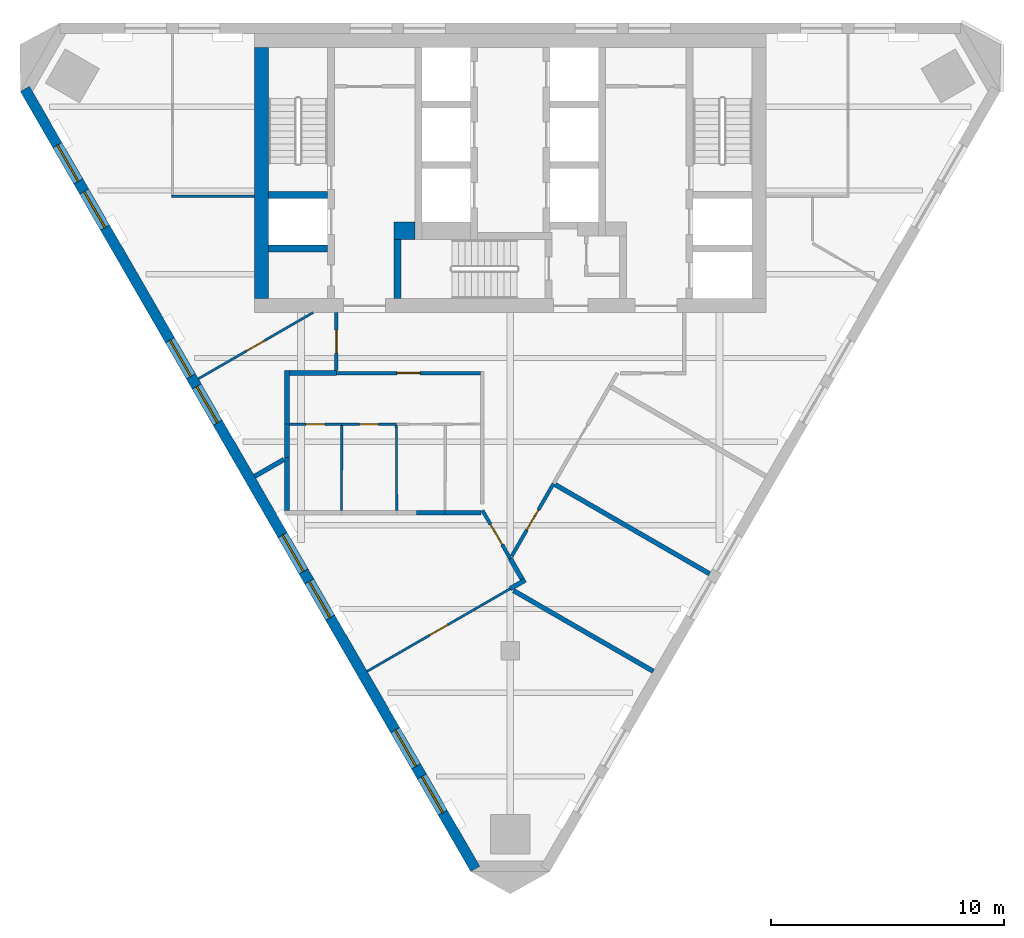
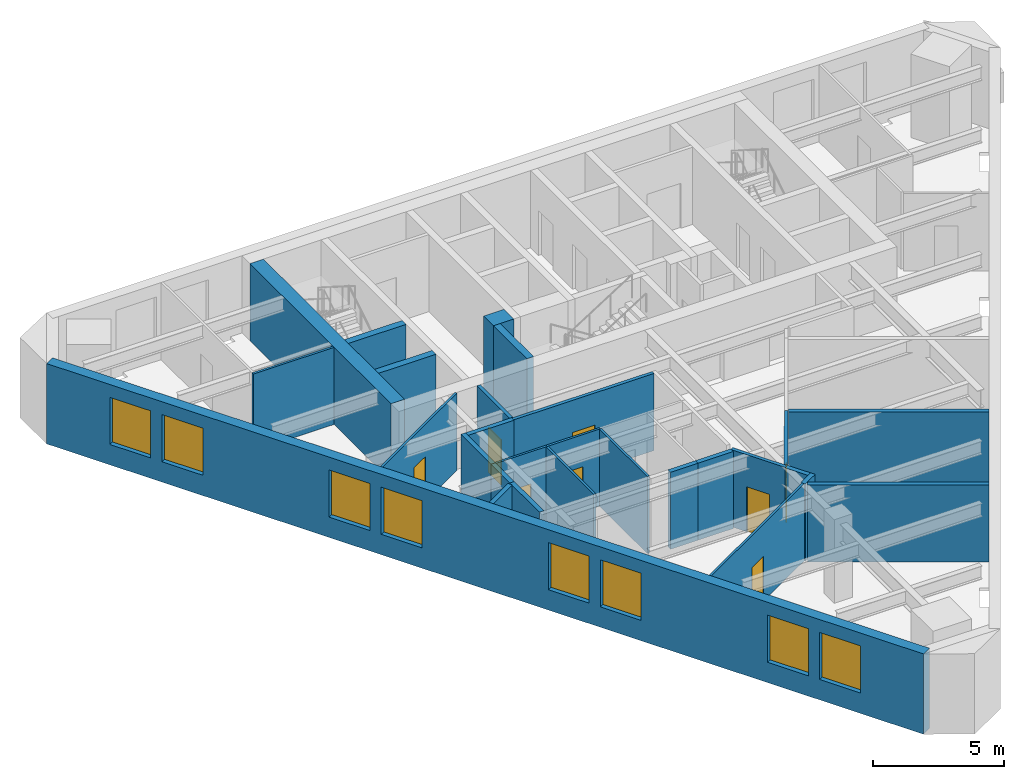
# One storey, part 2 of 6: 28 walls, 8 doors, 8 windows, 16 openings.
"""IFC4 building model written with IfcOpenShell, lengths in metres."""

from ifc_helpers import new_model, si_unit, direction, frame, frame_2d, origin, place, context, subcontext, project, spatial, polyline, rectangle, outline, extrude, material, layer, layer_set, type_object, element, fill, save


model = new_model("IFC4")

# Units and contexts
model_context = context("Model", 3, precision=1e-05, world=origin(), true_north=direction((0.0, 1.0)))
body_context = subcontext(model_context, "Body", "Model", "MODEL_VIEW")
ifc_project = project(units=[si_unit("LENGTHUNIT", "METRE"), si_unit("AREAUNIT", "SQUARE_METRE"), si_unit("VOLUMEUNIT", "CUBIC_METRE"), si_unit("PLANEANGLEUNIT", "RADIAN"), si_unit("MASSUNIT", "GRAM", prefix="KILO")], contexts=[model_context])

# Site, building, storey
site_placement = place(None, origin())
site = spatial("IfcSite", under=ifc_project, at=site_placement, CompositionType="ELEMENT")
building_placement = place(site_placement, origin())
building = spatial("IfcBuilding", under=site, at=building_placement, Name="Aloe Facet Convention Tower", CompositionType="ELEMENT")
storey_placement = place(building_placement, frame((0.0, 0.0, 223.10009765625)))
storey = spatial("IfcBuildingStorey", under=building, at=storey_placement, Name="L56", CompositionType="ELEMENT", Elevation=223.10009765625)

# Walls
ifc_material_1 = material(Name="Concrete C50/60", Category="concrete")
ifc_layer_1 = layer(ifc_material_1, 0.300048828125)
ifc_layer_set_1 = layer_set([ifc_layer_1], Name="CR-W-RC300-C5060")
wall_type_1 = type_object("IfcWallType", Name="CR-W-RC300-C5060", PredefinedType="SOLIDWALL", material=ifc_layer_set_1)
for number, where, z_axis, x_axis, name in (
    (1, (69.60009765625, 127.60009765625, 0.0), (0.0, 0.0, 1.0), (1.0, 0.0, 0.0), "Core wall L56-004"),
    (2, (69.60009765625, 125.300048828125, 0.0), (0.0, 0.0, 1.0), (1.0, 0.0, 0.0), "Core wall L56-005"),
):
    element("IfcWall", number, at=place(storey_placement, frame(where, z_axis=z_axis, x_axis=x_axis)), inside=storey, type_object=wall_type_1, Name=name, PredefinedType="SOLIDWALL", context=body_context, shape_type="SweptSolid", body=[
        extrude(rectangle(XDim=2.5498046875, YDim=0.300048828125, at=frame_2d((1.27490234375, 0.0))), origin(), (0.0, 0.0, 1.0), 3.599853515625),
    ])
wall_1_placement = place(storey_placement, frame((75.14990234375, 125.699951171875, 0.0), z_axis=(0.0, 0.0, 1.0), x_axis=(0.0, -1.0, 0.0)))
element("IfcWall", 3, at=wall_1_placement, inside=storey, type_object=wall_type_1, Name="Core wall L56-009", PredefinedType="SOLIDWALL", context=body_context, shape_type="SweptSolid", body=[
    extrude(rectangle(XDim=2.550048828125, YDim=0.300048828125, at=frame_2d((1.27490234375, 0.0))), origin(), (0.0, 0.0, 1.0), 3.599853515625),
])
ifc_material_2 = material(Name="Concrete C50/60", Category="concrete")
ifc_layer_2 = layer(ifc_material_2, 0.60009765625)
ifc_layer_set_2 = layer_set([ifc_layer_2], Name="CR-W-RC600-C5060")
wall_type_2 = type_object("IfcWallType", Name="CR-W-RC600-C5060", PredefinedType="SOLIDWALL", material=ifc_layer_set_2)
wall_2_placement = place(storey_placement, frame((69.300048828125, 133.949951171875, 0.0), z_axis=(0.0, 0.0, 1.0), x_axis=(0.0, -1.0, 0.0)))
element("IfcWall", 4, at=wall_2_placement, inside=storey, type_object=wall_type_2, Name="Core wall L56-002", PredefinedType="SOLIDWALL", context=body_context, shape_type="SweptSolid", body=[
    extrude(rectangle(XDim=10.800048828125, YDim=0.60009765625, at=frame_2d((5.39990234375, 0.0))), origin(), (0.0, 0.0, 1.0), 3.599853515625),
])
ifc_material_3 = material(Name="Concrete C50/60", Category="concrete")
ifc_layer_3 = layer(ifc_material_3, 0.75)
ifc_layer_set_3 = layer_set([ifc_layer_3], Name="CR-W-RC750-C5060")
wall_type_3 = type_object("IfcWallType", Name="CR-W-RC750-C5060", PredefinedType="SOLIDWALL", material=ifc_layer_set_3)
wall_3_placement = place(storey_placement, frame((75.0, 126.074951171875, 0.0), z_axis=(0.0, 0.0, 1.0), x_axis=(1.0, 0.0, 0.0)))
element("IfcWall", 5, at=wall_3_placement, inside=storey, type_object=wall_type_3, Name="Core wall L56-008", PredefinedType="SOLIDWALL", context=body_context, shape_type="SweptSolid", body=[
    extrude(rectangle(XDim=0.89990234375, YDim=0.75, at=frame_2d((0.449951171875, 0.0))), origin(), (0.0, 0.0, 1.0), 3.599853515625),
])

# Wall, openings, windows
ifc_material_4 = material(Name="Precast concrete C40/50", Category="concrete")
ifc_layer_4 = layer(ifc_material_4, 0.449951171875)
ifc_layer_set_4 = layer_set([ifc_layer_4], Name="EV-WALL-STONE")
wall_type_4 = type_object("IfcWallType", Name="EV-WALL-STONE", PredefinedType="SOLIDWALL", material=ifc_layer_set_4)
wall_4_placement = place(storey_placement, frame((59.130126953125, 132.16796875, -0.150146484375), z_axis=(0.0, 0.0, 1.0), x_axis=(0.500002199942, -0.866024133644, 0.0)))
wall_4 = element("IfcWall", 6, at=wall_4_placement, inside=storey, type_object=wall_type_4, Name="EW-L56-W01", PredefinedType="SOLIDWALL", context=body_context, shape_type="SweptSolid", body=[
    extrude(outline(polyline([(38.729248046875, 0.0), (38.729248046875, 3.75), (0.0, 3.75), (0.0, 0.0), (38.729248046875, 0.0)])), frame((0.0, 0.22509765625, 0.0), z_axis=(0.0, -1.0, 0.0), x_axis=(1.0, 0.0, 0.0)), (0.0, 0.0, 1.0), 0.449951171875),
])
opening_1_placement = place(wall_4_placement, frame((2.791259765625, 0.0, 0.949951171875)))
opening_1 = element("IfcOpeningElement", 7, at=opening_1_placement, cuts=wall_4, Name="Opening W-L56-W01", PredefinedType="OPENING", context=body_context, shape_type="SweptSolid", body=[
    extrude(rectangle(XDim=1.800048828125, YDim=2.199951171875, at=frame_2d((0.89990234375, 1.10009765625))), frame((0.0, 0.23486328125, 0.0), z_axis=(0.0, -1.0, 0.0), x_axis=(1.0, 0.0, 0.0)), (0.0, 0.0, 1.0), 0.469970703125),
])
opening_2_placement = place(wall_4_placement, frame((5.091064453125, 0.0, 0.949951171875)))
opening_2 = element("IfcOpeningElement", 8, at=opening_2_placement, cuts=wall_4, Name="Opening W-L56-W02", PredefinedType="OPENING", context=body_context, shape_type="SweptSolid", body=[
    extrude(rectangle(XDim=1.800048828125, YDim=2.199951171875, at=frame_2d((0.89990234375, 1.10009765625))), frame((0.0, 0.23486328125, 0.0), z_axis=(0.0, -1.0, 0.0), x_axis=(1.0, 0.0, 0.0)), (0.0, 0.0, 1.0), 0.469970703125),
])
opening_3_placement = place(wall_4_placement, frame((12.473388671875, 0.0, 0.949951171875)))
opening_3 = element("IfcOpeningElement", 9, at=opening_3_placement, cuts=wall_4, Name="Opening W-L56-W03", PredefinedType="OPENING", context=body_context, shape_type="SweptSolid", body=[
    extrude(rectangle(XDim=1.800048828125, YDim=2.199951171875, at=frame_2d((0.89990234375, 1.10009765625))), frame((0.0, 0.23486328125, 0.0), z_axis=(0.0, -1.0, 0.0), x_axis=(1.0, 0.0, 0.0)), (0.0, 0.0, 1.0), 0.469970703125),
])
opening_4_placement = place(wall_4_placement, frame((14.7734375, 0.0, 0.949951171875)))
opening_4 = element("IfcOpeningElement", 10, at=opening_4_placement, cuts=wall_4, Name="Opening W-L56-W04", PredefinedType="OPENING", context=body_context, shape_type="SweptSolid", body=[
    extrude(rectangle(XDim=1.800048828125, YDim=2.199951171875, at=frame_2d((0.89990234375, 1.10009765625))), frame((0.0, 0.23486328125, 0.0), z_axis=(0.0, -1.0, 0.0), x_axis=(1.0, 0.0, 0.0)), (0.0, 0.0, 1.0), 0.469970703125),
])
opening_5_placement = place(wall_4_placement, frame((22.15576171875, 0.0, 0.949951171875)))
opening_5 = element("IfcOpeningElement", 11, at=opening_5_placement, cuts=wall_4, Name="Opening W-L56-W05", PredefinedType="OPENING", context=body_context, shape_type="SweptSolid", body=[
    extrude(rectangle(XDim=1.800048828125, YDim=2.199951171875, at=frame_2d((0.89990234375, 1.10009765625))), frame((0.0, 0.23486328125, 0.0), z_axis=(0.0, -1.0, 0.0), x_axis=(1.0, 0.0, 0.0)), (0.0, 0.0, 1.0), 0.469970703125),
])
opening_6_placement = place(wall_4_placement, frame((24.455810546875, 0.0, 0.949951171875)))
opening_6 = element("IfcOpeningElement", 12, at=opening_6_placement, cuts=wall_4, Name="Opening W-L56-W06", PredefinedType="OPENING", context=body_context, shape_type="SweptSolid", body=[
    extrude(rectangle(XDim=1.800048828125, YDim=2.199951171875, at=frame_2d((0.89990234375, 1.10009765625))), frame((0.0, 0.23486328125, 0.0), z_axis=(0.0, -1.0, 0.0), x_axis=(1.0, 0.0, 0.0)), (0.0, 0.0, 1.0), 0.469970703125),
])
opening_7_placement = place(wall_4_placement, frame((31.838134765625, 0.0, 0.949951171875)))
opening_7 = element("IfcOpeningElement", 13, at=opening_7_placement, cuts=wall_4, Name="Opening W-L56-W07", PredefinedType="OPENING", context=body_context, shape_type="SweptSolid", body=[
    extrude(rectangle(XDim=1.800048828125, YDim=2.199951171875, at=frame_2d((0.89990234375, 1.10009765625))), frame((0.0, 0.23486328125, 0.0), z_axis=(0.0, -1.0, 0.0), x_axis=(1.0, 0.0, 0.0)), (0.0, 0.0, 1.0), 0.469970703125),
])
opening_8_placement = place(wall_4_placement, frame((34.13818359375, 0.0, 0.949951171875)))
opening_8 = element("IfcOpeningElement", 14, at=opening_8_placement, cuts=wall_4, Name="Opening W-L56-W08", PredefinedType="OPENING", context=body_context, shape_type="SweptSolid", body=[
    extrude(rectangle(XDim=1.800048828125, YDim=2.199951171875, at=frame_2d((0.89990234375, 1.10009765625))), frame((0.0, 0.23486328125, 0.0), z_axis=(0.0, -1.0, 0.0), x_axis=(1.0, 0.0, 0.0)), (0.0, 0.0, 1.0), 0.469970703125),
])
ifc_material_5 = material(Name="Aluminium frame, clear double glazing", Category="aluminium")
window_type = type_object("IfcWindowType", Name="EV-WIN-O18", PartitioningType="SINGLE_PANEL", PredefinedType="WINDOW", material=ifc_material_5)
window_1_placement = place(opening_1_placement, origin())
window_1 = element("IfcWindow", 15, at=window_1_placement, inside=storey, type_object=window_type, Name="W-L56-W01", OverallHeight=2.199951171875, OverallWidth=1.800048828125, PartitioningType="SINGLE_PANEL", PredefinedType="WINDOW", context=body_context, shape_type="SweptSolid", body=[
    extrude(rectangle(XDim=1.800048828125, YDim=2.199951171875, at=frame_2d((0.89990234375, 1.10009765625))), frame((0.0, 0.030029296875, 0.0), z_axis=(0.0, -1.0, 0.0), x_axis=(1.0, 0.0, 0.0)), (0.0, 0.0, 1.0), 0.06005859375),
])
fill(opening_1, window_1)
window_2_placement = place(opening_2_placement, origin())
window_2 = element("IfcWindow", 16, at=window_2_placement, inside=storey, type_object=window_type, Name="W-L56-W02", OverallHeight=2.199951171875, OverallWidth=1.800048828125, PartitioningType="SINGLE_PANEL", PredefinedType="WINDOW", context=body_context, shape_type="SweptSolid", body=[
    extrude(rectangle(XDim=1.800048828125, YDim=2.199951171875, at=frame_2d((0.89990234375, 1.10009765625))), frame((0.0, 0.030029296875, 0.0), z_axis=(0.0, -1.0, 0.0), x_axis=(1.0, 0.0, 0.0)), (0.0, 0.0, 1.0), 0.06005859375),
])
fill(opening_2, window_2)
window_3_placement = place(opening_3_placement, origin())
window_3 = element("IfcWindow", 17, at=window_3_placement, inside=storey, type_object=window_type, Name="W-L56-W03", OverallHeight=2.199951171875, OverallWidth=1.800048828125, PartitioningType="SINGLE_PANEL", PredefinedType="WINDOW", context=body_context, shape_type="SweptSolid", body=[
    extrude(rectangle(XDim=1.800048828125, YDim=2.199951171875, at=frame_2d((0.89990234375, 1.10009765625))), frame((0.0, 0.030029296875, 0.0), z_axis=(0.0, -1.0, 0.0), x_axis=(1.0, 0.0, 0.0)), (0.0, 0.0, 1.0), 0.06005859375),
])
fill(opening_3, window_3)
window_4_placement = place(opening_4_placement, origin())
window_4 = element("IfcWindow", 18, at=window_4_placement, inside=storey, type_object=window_type, Name="W-L56-W04", OverallHeight=2.199951171875, OverallWidth=1.800048828125, PartitioningType="SINGLE_PANEL", PredefinedType="WINDOW", context=body_context, shape_type="SweptSolid", body=[
    extrude(rectangle(XDim=1.800048828125, YDim=2.199951171875, at=frame_2d((0.89990234375, 1.10009765625))), frame((0.0, 0.030029296875, 0.0), z_axis=(0.0, -1.0, 0.0), x_axis=(1.0, 0.0, 0.0)), (0.0, 0.0, 1.0), 0.06005859375),
])
fill(opening_4, window_4)
window_5_placement = place(opening_5_placement, origin())
window_5 = element("IfcWindow", 19, at=window_5_placement, inside=storey, type_object=window_type, Name="W-L56-W05", OverallHeight=2.199951171875, OverallWidth=1.800048828125, PartitioningType="SINGLE_PANEL", PredefinedType="WINDOW", context=body_context, shape_type="SweptSolid", body=[
    extrude(rectangle(XDim=1.800048828125, YDim=2.199951171875, at=frame_2d((0.89990234375, 1.10009765625))), frame((0.0, 0.030029296875, 0.0), z_axis=(0.0, -1.0, 0.0), x_axis=(1.0, 0.0, 0.0)), (0.0, 0.0, 1.0), 0.06005859375),
])
fill(opening_5, window_5)
window_6_placement = place(opening_6_placement, origin())
window_6 = element("IfcWindow", 20, at=window_6_placement, inside=storey, type_object=window_type, Name="W-L56-W06", OverallHeight=2.199951171875, OverallWidth=1.800048828125, PartitioningType="SINGLE_PANEL", PredefinedType="WINDOW", context=body_context, shape_type="SweptSolid", body=[
    extrude(rectangle(XDim=1.800048828125, YDim=2.199951171875, at=frame_2d((0.89990234375, 1.10009765625))), frame((0.0, 0.030029296875, 0.0), z_axis=(0.0, -1.0, 0.0), x_axis=(1.0, 0.0, 0.0)), (0.0, 0.0, 1.0), 0.06005859375),
])
fill(opening_6, window_6)
window_7_placement = place(opening_7_placement, origin())
window_7 = element("IfcWindow", 21, at=window_7_placement, inside=storey, type_object=window_type, Name="W-L56-W07", OverallHeight=2.199951171875, OverallWidth=1.800048828125, PartitioningType="SINGLE_PANEL", PredefinedType="WINDOW", context=body_context, shape_type="SweptSolid", body=[
    extrude(rectangle(XDim=1.800048828125, YDim=2.199951171875, at=frame_2d((0.89990234375, 1.10009765625))), frame((0.0, 0.030029296875, 0.0), z_axis=(0.0, -1.0, 0.0), x_axis=(1.0, 0.0, 0.0)), (0.0, 0.0, 1.0), 0.06005859375),
])
fill(opening_7, window_7)
window_8_placement = place(opening_8_placement, origin())
window_8 = element("IfcWindow", 22, at=window_8_placement, inside=storey, type_object=window_type, Name="W-L56-W08", OverallHeight=2.199951171875, OverallWidth=1.800048828125, PartitioningType="SINGLE_PANEL", PredefinedType="WINDOW", context=body_context, shape_type="SweptSolid", body=[
    extrude(rectangle(XDim=1.800048828125, YDim=2.199951171875, at=frame_2d((0.89990234375, 1.10009765625))), frame((0.0, 0.030029296875, 0.0), z_axis=(0.0, -1.0, 0.0), x_axis=(1.0, 0.0, 0.0)), (0.0, 0.0, 1.0), 0.06005859375),
])
fill(opening_8, window_8)

# Wall, opening, door
ifc_material_6 = material(Name="Gypsum board partition on steel studs", Category="steel")
ifc_layer_5 = layer(ifc_material_6, 0.14990234375)
ifc_layer_set_5 = layer_set([ifc_layer_5], Name="IN-W-CORR")
wall_type_5 = type_object("IfcWallType", Name="IN-W-CORR", PredefinedType="PARTITIONING", material=ifc_layer_set_5)
wall_5_placement = place(storey_placement, frame((78.800048828125, 114.048828125, 0.0), z_axis=(0.0, 0.0, 1.0), x_axis=(0.500001309137, -0.866024647952, 0.0)))
wall_5 = element("IfcWall", 23, at=wall_5_placement, inside=storey, type_object=wall_type_5, Name="Partition L56-W006", PredefinedType="PARTITIONING", context=body_context, shape_type="SweptSolid", body=[
    extrude(rectangle(XDim=2.39990234375, YDim=0.14990234375, at=frame_2d((1.199951171875, 0.0))), origin(), (0.0, 0.0, 1.0), 3.599853515625),
])
opening_9_placement = place(wall_5_placement, frame((0.699951171875, 0.0, 0.0)))
opening_9 = element("IfcOpeningElement", 24, at=opening_9_placement, cuts=wall_5, Name="Opening L56-010", PredefinedType="OPENING", context=body_context, shape_type="SweptSolid", body=[
    extrude(rectangle(XDim=1.0, YDim=2.10009765625, at=frame_2d((0.5, 1.050048828125))), frame((0.0, 0.0849609375, 0.0), z_axis=(0.0, -1.0, 0.0), x_axis=(1.0, 0.0, 0.0)), (0.0, 0.0, 1.0), 0.169921875),
])
ifc_material_7 = material(Name="Timber door FD30S with vision panel", Category="wood")
door_type_1 = type_object("IfcDoorType", Name="IN-OFF-D-ENTRY", OperationType="SINGLE_SWING_LEFT", PredefinedType="DOOR", material=ifc_material_7)
door_1_placement = place(opening_9_placement, origin())
door_1 = element("IfcDoor", 25, at=door_1_placement, inside=storey, type_object=door_type_1, Name="Door L56-010", OperationType="SINGLE_SWING_LEFT", OverallHeight=2.10009765625, OverallWidth=1.0, PredefinedType="DOOR", context=body_context, shape_type="SweptSolid", body=[
    extrude(rectangle(XDim=1.0, YDim=2.10009765625, at=frame_2d((0.5, 1.050048828125))), frame((0.0, 0.02490234375, 0.0), z_axis=(0.0, -1.0, 0.0), x_axis=(1.0, 0.0, 0.0)), (0.0, 0.0, 1.0), 0.050048828125),
])
fill(opening_9, door_1)

wall_6_placement = place(storey_placement, frame((80.06005859375, 112.074462890625, 0.0), z_axis=(0.0, 0.0, 1.0), x_axis=(0.500004188491, 0.866022985545, 0.0)))
wall_6 = element("IfcWall", 26, at=wall_6_placement, inside=storey, type_object=wall_type_5, Name="Partition L56-W014", PredefinedType="PARTITIONING", context=body_context, shape_type="SweptSolid", body=[
    extrude(rectangle(XDim=3.6005859375, YDim=0.14990234375, at=frame_2d((1.80029296875, 0.0))), origin(), (0.0, 0.0, 1.0), 3.599853515625),
])
opening_10_placement = place(wall_6_placement, frame((1.30029296875, 0.0, 0.0)))
opening_10 = element("IfcOpeningElement", 27, at=opening_10_placement, cuts=wall_6, Name="Opening L56-011", PredefinedType="OPENING", context=body_context, shape_type="SweptSolid", body=[
    extrude(rectangle(XDim=1.0, YDim=2.10009765625, at=frame_2d((0.5, 1.050048828125))), frame((0.0, 0.0849609375, 0.0), z_axis=(0.0, -1.0, 0.0), x_axis=(1.0, 0.0, 0.0)), (0.0, 0.0, 1.0), 0.169921875),
])
door_2_placement = place(opening_10_placement, origin())
door_2 = element("IfcDoor", 28, at=door_2_placement, inside=storey, type_object=door_type_1, Name="Door L56-011", OperationType="SINGLE_SWING_LEFT", OverallHeight=2.10009765625, OverallWidth=1.0, PredefinedType="DOOR", context=body_context, shape_type="SweptSolid", body=[
    extrude(rectangle(XDim=1.0, YDim=2.10009765625, at=frame_2d((0.5, 1.050048828125))), frame((0.0, 0.02490234375, 0.0), z_axis=(0.0, -1.0, 0.0), x_axis=(1.0, 0.0, 0.0)), (0.0, 0.0, 1.0), 0.050048828125),
])
fill(opening_10, door_2)

wall_7_placement = place(storey_placement, frame((72.52490234375, 120.050048828125, 0.0), z_axis=(0.0, 0.0, 1.0), x_axis=(0.0, 1.0, 0.0)))
wall_7 = element("IfcWall", 29, at=wall_7_placement, inside=storey, type_object=wall_type_5, Name="Partition L56-W032", PredefinedType="PARTITIONING", context=body_context, shape_type="SweptSolid", body=[
    extrude(rectangle(XDim=2.5, YDim=0.14990234375, at=frame_2d((1.25, 0.0))), origin(), (0.0, 0.0, 1.0), 3.599853515625),
])
opening_11_placement = place(wall_7_placement, frame((0.75, 0.0, 0.0)))
opening_11 = element("IfcOpeningElement", 30, at=opening_11_placement, cuts=wall_7, Name="Opening L56-009", PredefinedType="OPENING", context=body_context, shape_type="SweptSolid", body=[
    extrude(rectangle(XDim=1.0, YDim=2.10009765625, at=frame_2d((0.5, 1.050048828125))), frame((0.0, 0.0849609375, 0.0), z_axis=(0.0, -1.0, 0.0), x_axis=(1.0, 0.0, 0.0)), (0.0, 0.0, 1.0), 0.169921875),
])
door_3_placement = place(opening_11_placement, origin())
door_3 = element("IfcDoor", 31, at=door_3_placement, inside=storey, type_object=door_type_1, Name="Door L56-009", OperationType="SINGLE_SWING_LEFT", OverallHeight=2.10009765625, OverallWidth=1.0, PredefinedType="DOOR", context=body_context, shape_type="SweptSolid", body=[
    extrude(rectangle(XDim=1.0, YDim=2.10009765625, at=frame_2d((0.5, 1.050048828125))), frame((0.0, 0.02490234375, 0.0), z_axis=(0.0, -1.0, 0.0), x_axis=(1.0, 0.0, 0.0)), (0.0, 0.0, 1.0), 0.050048828125),
])
fill(opening_11, door_3)

wall_8_placement = place(storey_placement, frame((72.52490234375, 119.949951171875, 0.0), z_axis=(0.0, 0.0, 1.0), x_axis=(0.999999950384, -0.000315010222, 0.0)))
wall_8 = element("IfcWall", 32, at=wall_8_placement, inside=storey, type_object=wall_type_5, Name="Partition L56-W033", PredefinedType="PARTITIONING", context=body_context, shape_type="SweptSolid", body=[
    extrude(rectangle(XDim=6.2001953125, YDim=0.14990234375, at=frame_2d((3.10009765625, 0.0))), origin(), (0.0, 0.0, 1.0), 3.599853515625),
])
opening_12_placement = place(wall_8_placement, frame((2.60009765625, 0.0, 0.0)))
opening_12 = element("IfcOpeningElement", 33, at=opening_12_placement, cuts=wall_8, Name="Opening L56-001", PredefinedType="OPENING", context=body_context, shape_type="SweptSolid", body=[
    extrude(rectangle(XDim=1.0, YDim=2.10009765625, at=frame_2d((0.5, 1.050048828125))), frame((0.0, 0.0849609375, 0.0), z_axis=(0.0, -1.0, 0.0), x_axis=(1.0, 0.0, 0.0)), (0.0, 0.0, 1.0), 0.169921875),
])
door_4_placement = place(opening_12_placement, origin())
door_4 = element("IfcDoor", 34, at=door_4_placement, inside=storey, type_object=door_type_1, Name="Door L56-001", OperationType="SINGLE_SWING_LEFT", OverallHeight=2.10009765625, OverallWidth=1.0, PredefinedType="DOOR", context=body_context, shape_type="SweptSolid", body=[
    extrude(rectangle(XDim=1.0, YDim=2.10009765625, at=frame_2d((0.5, 1.050048828125))), frame((0.0, 0.02490234375, 0.0), z_axis=(0.0, -1.0, 0.0), x_axis=(1.0, 0.0, 0.0)), (0.0, 0.0, 1.0), 0.050048828125),
])
fill(opening_12, door_4)

ifc_material_8 = material(Name="Gypsum board partition on steel studs", Category="steel")
ifc_layer_6 = layer(ifc_material_8, 0.10009765625)
ifc_layer_set_6 = layer_set([ifc_layer_6], Name="IN-W-PART")
wall_type_6 = type_object("IfcWallType", Name="IN-W-PART", PredefinedType="PARTITIONING", material=ifc_layer_set_6)
wall_9_placement = place(storey_placement, frame((73.8486328125, 107.125244140625, 0.0), z_axis=(0.0, 0.0, 1.0), x_axis=(0.866024174161, 0.500002129764, 0.0)))
wall_9 = element("IfcWall", 35, at=wall_9_placement, inside=storey, type_object=wall_type_6, Name="Partition L56-W001", PredefinedType="PARTITIONING", context=body_context, shape_type="SweptSolid", body=[
    extrude(rectangle(XDim=7.10302734375, YDim=0.10009765625, at=frame_2d((3.551513671875, 0.0))), origin(), (0.0, 0.0, 1.0), 3.599853515625),
])
opening_13_placement = place(wall_9_placement, frame((3.1015625, 0.0, 0.0)))
opening_13 = element("IfcOpeningElement", 36, at=opening_13_placement, cuts=wall_9, Name="Opening L56-015", PredefinedType="OPENING", context=body_context, shape_type="SweptSolid", body=[
    extrude(rectangle(XDim=0.89990234375, YDim=2.10009765625, at=frame_2d((0.449951171875, 1.050048828125))), frame((0.0, 0.06005859375, 0.0), z_axis=(0.0, -1.0, 0.0), x_axis=(1.0, 0.0, 0.0)), (0.0, 0.0, 1.0), 0.1201171875),
])
ifc_material_9 = material(Name="Timber door", Category="wood")
door_type_2 = type_object("IfcDoorType", Name="IN-OFF-D-ROOM", OperationType="SINGLE_SWING_LEFT", PredefinedType="DOOR", material=ifc_material_9)
door_5_placement = place(opening_13_placement, origin())
door_5 = element("IfcDoor", 37, at=door_5_placement, inside=storey, type_object=door_type_2, Name="Door L56-015", OperationType="SINGLE_SWING_LEFT", OverallHeight=2.10009765625, OverallWidth=0.89990234375, PredefinedType="DOOR", context=body_context, shape_type="SweptSolid", body=[
    extrude(rectangle(XDim=0.89990234375, YDim=2.10009765625, at=frame_2d((0.449951171875, 1.050048828125))), frame((0.0, 0.02490234375, 0.0), z_axis=(0.0, -1.0, 0.0), x_axis=(1.0, 0.0, 0.0)), (0.0, 0.0, 1.0), 0.050048828125),
])
fill(opening_13, door_5)

# Wall
wall_10_placement = place(storey_placement, frame((72.7421875, 114.047119140625, 0.0), z_axis=(0.0, 0.0, 1.0), x_axis=(0.002673429826, 0.99999642638, 0.0)))
element("IfcWall", 38, at=wall_10_placement, inside=storey, type_object=wall_type_6, Name="Partition L56-W019", PredefinedType="PARTITIONING", context=body_context, shape_type="SweptSolid", body=[
    extrude(rectangle(XDim=3.65283203125, YDim=0.10009765625, at=frame_2d((1.826416015625, 0.0))), origin(), (0.0, 0.0, 1.0), 3.599853515625),
])

# Wall, opening, door
wall_11_placement = place(storey_placement, frame((70.5, 117.75, 0.0), z_axis=(0.0, 0.0, 1.0), x_axis=(1.0, 0.0, 0.0)))
wall_11 = element("IfcWall", 39, at=wall_11_placement, inside=storey, type_object=wall_type_6, Name="Partition L56-W020", PredefinedType="PARTITIONING", context=body_context, shape_type="SweptSolid", body=[
    extrude(rectangle(XDim=2.251953125, YDim=0.10009765625, at=frame_2d((1.1259765625, 0.0))), origin(), (0.0, 0.0, 1.0), 3.599853515625),
])
opening_14_placement = place(wall_11_placement, frame((0.72607421875, 0.0, 0.0)))
opening_14 = element("IfcOpeningElement", 40, at=opening_14_placement, cuts=wall_11, Name="Opening L56-002", PredefinedType="OPENING", context=body_context, shape_type="SweptSolid", body=[
    extrude(rectangle(XDim=0.800048828125, YDim=2.10009765625, at=frame_2d((0.39990234375, 1.050048828125))), frame((0.0, 0.06005859375, 0.0), z_axis=(0.0, -1.0, 0.0), x_axis=(1.0, 0.0, 0.0)), (0.0, 0.0, 1.0), 0.1201171875),
])
ifc_material_10 = material(Name="Timber door", Category="wood")
door_type_3 = type_object("IfcDoorType", Name="IN-OFF-D-WC", OperationType="SINGLE_SWING_LEFT", PredefinedType="DOOR", material=ifc_material_10)
door_6_placement = place(opening_14_placement, origin())
door_6 = element("IfcDoor", 41, at=door_6_placement, inside=storey, type_object=door_type_3, Name="Door L56-002", OperationType="SINGLE_SWING_LEFT", OverallHeight=2.10009765625, OverallWidth=0.800048828125, PredefinedType="DOOR", context=body_context, shape_type="SweptSolid", body=[
    extrude(rectangle(XDim=0.800048828125, YDim=2.10009765625, at=frame_2d((0.39990234375, 1.050048828125))), frame((0.0, 0.02490234375, 0.0), z_axis=(0.0, -1.0, 0.0), x_axis=(1.0, 0.0, 0.0)), (0.0, 0.0, 1.0), 0.050048828125),
])
fill(opening_14, door_6)

# Wall
wall_12_placement = place(storey_placement, frame((75.11376953125, 114.047119140625, 0.0), z_axis=(0.0, 0.0, 1.0), x_axis=(-0.00260659454, 0.999996602827, 0.0)))
element("IfcWall", 42, at=wall_12_placement, inside=storey, type_object=wall_type_6, Name="Partition L56-W021", PredefinedType="PARTITIONING", context=body_context, shape_type="SweptSolid", body=[
    extrude(rectangle(XDim=3.65283203125, YDim=0.10009765625, at=frame_2d((1.826416015625, 0.0))), origin(), (0.0, 0.0, 1.0), 3.599853515625),
])

# Wall, opening, door
wall_13_placement = place(storey_placement, frame((72.751953125, 117.75, 0.0), z_axis=(0.0, 0.0, 1.0), x_axis=(1.0, 0.0, 0.0)))
wall_13 = element("IfcWall", 43, at=wall_13_placement, inside=storey, type_object=wall_type_6, Name="Partition L56-W022", PredefinedType="PARTITIONING", context=body_context, shape_type="SweptSolid", body=[
    extrude(rectangle(XDim=2.35205078125, YDim=0.10009765625, at=frame_2d((1.176025390625, 0.0))), origin(), (0.0, 0.0, 1.0), 3.599853515625),
])
opening_15_placement = place(wall_13_placement, frame((0.77587890625, 0.0, 0.0)))
opening_15 = element("IfcOpeningElement", 44, at=opening_15_placement, cuts=wall_13, Name="Opening L56-003", PredefinedType="OPENING", context=body_context, shape_type="SweptSolid", body=[
    extrude(rectangle(XDim=0.800048828125, YDim=2.10009765625, at=frame_2d((0.39990234375, 1.050048828125))), frame((0.0, 0.06005859375, 0.0), z_axis=(0.0, -1.0, 0.0), x_axis=(1.0, 0.0, 0.0)), (0.0, 0.0, 1.0), 0.1201171875),
])
door_7_placement = place(opening_15_placement, origin())
door_7 = element("IfcDoor", 45, at=door_7_placement, inside=storey, type_object=door_type_3, Name="Door L56-003", OperationType="SINGLE_SWING_LEFT", OverallHeight=2.10009765625, OverallWidth=0.800048828125, PredefinedType="DOOR", context=body_context, shape_type="SweptSolid", body=[
    extrude(rectangle(XDim=0.800048828125, YDim=2.10009765625, at=frame_2d((0.39990234375, 1.050048828125))), frame((0.0, 0.02490234375, 0.0), z_axis=(0.0, -1.0, 0.0), x_axis=(1.0, 0.0, 0.0)), (0.0, 0.0, 1.0), 0.050048828125),
])
fill(opening_15, door_7)

wall_14_placement = place(storey_placement, frame((66.5869140625, 119.702880859375, 0.0), z_axis=(0.0, 0.0, 1.0), x_axis=(0.866023511746, 0.500003277092, 0.0)))
wall_14 = element("IfcWall", 46, at=wall_14_placement, inside=storey, type_object=wall_type_6, Name="Partition L56-W028", PredefinedType="PARTITIONING", context=body_context, shape_type="SweptSolid", body=[
    extrude(rectangle(XDim=5.6943359375, YDim=0.10009765625, at=frame_2d((2.84716796875, 0.0))), origin(), (0.0, 0.0, 1.0), 3.599853515625),
])
opening_16_placement = place(wall_14_placement, frame((2.397216796875, 0.0, 0.0)))
opening_16 = element("IfcOpeningElement", 47, at=opening_16_placement, cuts=wall_14, Name="Opening L56-008", PredefinedType="OPENING", context=body_context, shape_type="SweptSolid", body=[
    extrude(rectangle(XDim=0.89990234375, YDim=2.10009765625, at=frame_2d((0.449951171875, 1.050048828125))), frame((0.0, 0.06005859375, 0.0), z_axis=(0.0, -1.0, 0.0), x_axis=(1.0, 0.0, 0.0)), (0.0, 0.0, 1.0), 0.1201171875),
])
door_8_placement = place(opening_16_placement, origin())
door_8 = element("IfcDoor", 48, at=door_8_placement, inside=storey, type_object=door_type_2, Name="Door L56-008", OperationType="SINGLE_SWING_LEFT", OverallHeight=2.10009765625, OverallWidth=0.89990234375, PredefinedType="DOOR", context=body_context, shape_type="SweptSolid", body=[
    extrude(rectangle(XDim=0.89990234375, YDim=2.10009765625, at=frame_2d((0.449951171875, 1.050048828125))), frame((0.0, 0.02490234375, 0.0), z_axis=(0.0, -1.0, 0.0), x_axis=(1.0, 0.0, 0.0)), (0.0, 0.0, 1.0), 0.050048828125),
])
fill(opening_16, door_8)

# Walls
wall_15_placement = place(storey_placement, frame((65.427001953125, 127.550048828125, 0.0), z_axis=(0.0, 0.0, 1.0), x_axis=(0.999999663839, -0.000819951894, 0.0)))
element("IfcWall", 49, at=wall_15_placement, inside=storey, type_object=wall_type_6, Name="Partition L56-W038", PredefinedType="PARTITIONING", context=body_context, shape_type="SweptSolid", body=[
    extrude(rectangle(XDim=3.572998046875, YDim=0.10009765625, at=frame_2d((1.78662109375, 0.0))), origin(), (0.0, 0.0, 1.0), 3.599853515625),
])
ifc_material_11 = material(Name="Gypsum board partition on steel studs", Category="steel")
ifc_layer_7 = layer(ifc_material_11, 0.199951171875)
ifc_layer_set_7 = layer_set([ifc_layer_7], Name="IN-W-PARTY")
wall_type_7 = type_object("IfcWallType", Name="IN-W-PARTY", PredefinedType="PARTITIONING", material=ifc_layer_set_7)
wall_16_placement = place(storey_placement, frame((80.138671875, 110.5966796875, 0.0), z_axis=(0.0, 0.0, 1.0), x_axis=(0.866025136247, -0.500000463387, 0.0)))
element("IfcWall", 50, at=wall_16_placement, inside=storey, type_object=wall_type_7, Name="Partition L56-W002", PredefinedType="PARTITIONING", context=body_context, shape_type="SweptSolid", body=[
    extrude(rectangle(XDim=6.94287109375, YDim=0.199951171875, at=frame_2d((3.471435546875, 0.0))), origin(), (0.0, 0.0, 1.0), 3.599853515625),
])
wall_17_placement = place(storey_placement, frame((80.0, 110.6767578125, 0.0), z_axis=(0.0, 0.0, 1.0), x_axis=(0.866163819127, 0.499760180923, 0.0)))
element("IfcWall", 51, at=wall_17_placement, inside=storey, type_object=wall_type_7, Name="Partition L56-W003", PredefinedType="PARTITIONING", context=body_context, shape_type="SweptSolid", body=[
    extrude(rectangle(XDim=0.746826171875, YDim=0.199951171875, at=frame_2d((0.37353515625, 0.0))), origin(), (0.0, 0.0, 1.0), 3.599853515625),
])
wall_18_placement = place(storey_placement, frame((80.0, 111.970458984375, 0.0), z_axis=(0.0, 0.0, 1.0), x_axis=(0.499998569178, -0.866026229868, 0.0)))
element("IfcWall", 52, at=wall_18_placement, inside=storey, type_object=wall_type_7, Name="Partition L56-W004", PredefinedType="PARTITIONING", context=body_context, shape_type="SweptSolid", body=[
    extrude(rectangle(XDim=1.0205078125, YDim=0.199951171875, at=frame_2d((0.51025390625, 0.0))), origin(), (0.0, 0.0, 1.0), 3.599853515625),
])
wall_19_placement = place(storey_placement, frame((81.933837890625, 115.150146484375, 0.0), z_axis=(0.0, 0.0, 1.0), x_axis=(0.866027525232, -0.499996325527, 0.0)))
element("IfcWall", 53, at=wall_19_placement, inside=storey, type_object=wall_type_7, Name="Partition L56-W005", PredefinedType="PARTITIONING", context=body_context, shape_type="SweptSolid", body=[
    extrude(rectangle(XDim=7.6650390625, YDim=0.199951171875, at=frame_2d((3.83251953125, 0.0))), origin(), (0.0, 0.0, 1.0), 3.599853515625),
])
wall_20_placement = place(storey_placement, frame((75.97607421875, 113.947021484375, 0.0), z_axis=(0.0, 0.0, 1.0), x_axis=(0.999997107299, 0.002405284684, 0.0)))
element("IfcWall", 54, at=wall_20_placement, inside=storey, type_object=wall_type_7, Name="Partition L56-W010", PredefinedType="PARTITIONING", context=body_context, shape_type="SweptSolid", body=[
    extrude(rectangle(XDim=1.218017578125, YDim=0.199951171875, at=frame_2d((0.60888671875, 0.0))), origin(), (0.0, 0.0, 1.0), 3.599853515625),
])
wall_21_placement = place(storey_placement, frame((77.194091796875, 113.949951171875, 0.0), z_axis=(0.0, 0.0, 1.0), x_axis=(1.0, 0.0, 0.0)))
element("IfcWall", 55, at=wall_21_placement, inside=storey, type_object=wall_type_7, Name="Partition L56-W011", PredefinedType="PARTITIONING", context=body_context, shape_type="SweptSolid", body=[
    extrude(rectangle(XDim=1.553955078125, YDim=0.199951171875, at=frame_2d((0.77685546875, 0.0))), origin(), (0.0, 0.0, 1.0), 3.599853515625),
])
wall_22_placement = place(storey_placement, frame((69.009033203125, 115.507568359375, 0.0), z_axis=(0.0, 0.0, 1.0), x_axis=(0.865958882005, 0.500115201406, 0.0)))
element("IfcWall", 56, at=wall_22_placement, inside=storey, type_object=wall_type_7, Name="Partition L56-W015", PredefinedType="PARTITIONING", context=body_context, shape_type="SweptSolid", body=[
    extrude(rectangle(XDim=1.452880859375, YDim=0.199951171875, at=frame_2d((0.7265625, 0.0))), origin(), (0.0, 0.0, 1.0), 3.599853515625),
])
wall_23_placement = place(storey_placement, frame((70.39990234375, 114.047119140625, 0.0), z_axis=(0.0, 0.0, 1.0), x_axis=(-0.001295195892, 0.999999161233, 0.0)))
element("IfcWall", 57, at=wall_23_placement, inside=storey, type_object=wall_type_7, Name="Partition L56-W017", PredefinedType="PARTITIONING", context=body_context, shape_type="SweptSolid", body=[
    extrude(rectangle(XDim=2.261962890625, YDim=0.199951171875, at=frame_2d((1.130859375, 0.0))), origin(), (0.0, 0.0, 1.0), 3.599853515625),
])
wall_24_placement = place(storey_placement, frame((70.39697265625, 116.30908203125, 0.0), z_axis=(0.0, 0.0, 1.0), x_axis=(0.002033204879, 0.999997933037, 0.0)))
element("IfcWall", 58, at=wall_24_placement, inside=storey, type_object=wall_type_7, Name="Partition L56-W026", PredefinedType="PARTITIONING", context=body_context, shape_type="SweptSolid", body=[
    extrude(rectangle(XDim=1.44091796875, YDim=0.199951171875, at=frame_2d((0.720458984375, 0.0))), origin(), (0.0, 0.0, 1.0), 3.599853515625),
])
wall_25_placement = place(storey_placement, frame((70.39990234375, 117.75, 0.0), z_axis=(0.0, 0.0, 1.0), x_axis=(0.0, 1.0, 0.0)))
element("IfcWall", 59, at=wall_25_placement, inside=storey, type_object=wall_type_7, Name="Partition L56-W030", PredefinedType="PARTITIONING", context=body_context, shape_type="SweptSolid", body=[
    extrude(rectangle(XDim=2.300048828125, YDim=0.199951171875, at=frame_2d((1.14990234375, 0.0))), origin(), (0.0, 0.0, 1.0), 3.599853515625),
])
wall_26_placement = place(storey_placement, frame((70.5, 119.949951171875, 0.0), z_axis=(0.0, 0.0, 1.0), x_axis=(1.0, 0.0, 0.0)))
element("IfcWall", 60, at=wall_26_placement, inside=storey, type_object=wall_type_7, Name="Partition L56-W031", PredefinedType="PARTITIONING", context=body_context, shape_type="SweptSolid", body=[
    extrude(rectangle(XDim=2.02490234375, YDim=0.199951171875, at=frame_2d((1.012451171875, 0.0))), origin(), (0.0, 0.0, 1.0), 3.599853515625),
])

save(model, "model.ifc")
